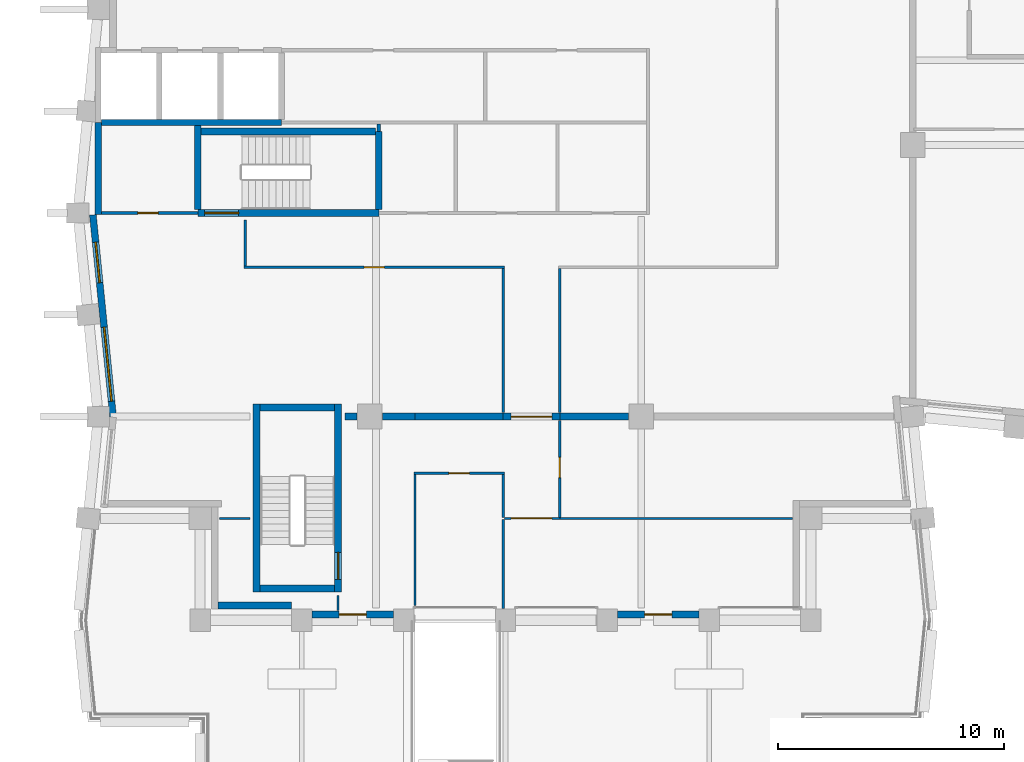
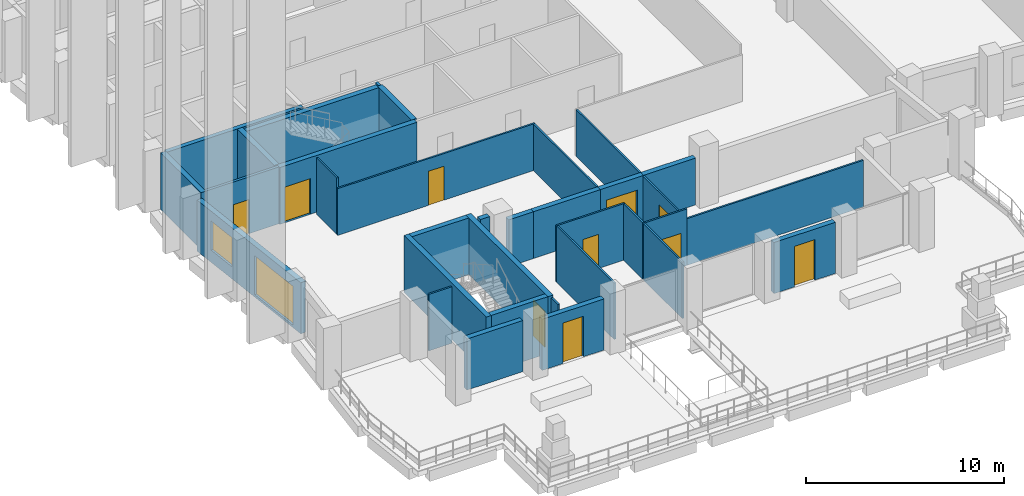
# One storey, part 11 of 19: 34 walls, 10 doors, 2 windows, 12 openings.
"""IFC4 building model written with IfcOpenShell, lengths in metres."""

from ifc_helpers import new_model, si_unit, direction, frame, frame_2d, origin, place, context, subcontext, project, spatial, rectangle, extrude, material, layer, layer_set, type_object, element, fill, save


model = new_model("IFC4")

# Units and contexts
model_context = context("Model", 3, precision=1e-05, world=origin(), true_north=direction((0.0, 1.0)))
body_context = subcontext(model_context, "Body", "Model", "MODEL_VIEW")
ifc_project = project(units=[si_unit("LENGTHUNIT", "METRE"), si_unit("AREAUNIT", "SQUARE_METRE"), si_unit("VOLUMEUNIT", "CUBIC_METRE"), si_unit("PLANEANGLEUNIT", "RADIAN"), si_unit("MASSUNIT", "GRAM", prefix="KILO")], contexts=[model_context])

# Site, building, storey
site_placement = place(None, origin())
site = spatial("IfcSite", under=ifc_project, at=site_placement, CompositionType="ELEMENT")
building_placement = place(site_placement, origin())
building = spatial("IfcBuilding", under=site, at=building_placement, Name="Brondeck Convention Tower", CompositionType="ELEMENT")
storey_placement = place(building_placement, frame((0.0, 0.0, 198.800048828125)))
storey = spatial("IfcBuildingStorey", under=building, at=storey_placement, Name="L48", CompositionType="ELEMENT", Elevation=198.800048828125)

# Walls
ifc_material_1 = material(Name="Concrete compartment wall C30/37", Category="concrete")
ifc_layer_1 = layer(ifc_material_1, 0.300048828125)
ifc_layer_set_1 = layer_set([ifc_layer_1], Name="Compartment wall 300")
wall_type_1 = type_object("IfcWallType", Name="Compartment wall 300", PredefinedType="PARTITIONING", material=ifc_layer_set_1)
wall_1_placement = place(storey_placement, frame((10.89990234375, 27.0, 0.0), z_axis=(0.0, 0.0, 1.0), x_axis=(1.0, 0.0, 0.0)))
element("IfcWall", 1, at=wall_1_placement, inside=storey, type_object=wall_type_1, Name="FLR-L48-W014", PredefinedType="PARTITIONING", context=body_context, shape_type="SweptSolid", body=[
    extrude(rectangle(XDim=0.545166015625, YDim=0.300048828125, at=frame_2d((0.2724609375, 0.0))), origin(), (0.0, 0.0, 1.0), 3.47998046875),
])
wall_2_placement = place(storey_placement, frame((12.554931640625, 27.0, 0.0), z_axis=(0.0, 0.0, 1.0), x_axis=(1.0, 0.0, 0.0)))
element("IfcWall", 2, at=wall_2_placement, inside=storey, type_object=wall_type_1, Name="FLR-L48-W015", PredefinedType="PARTITIONING", context=body_context, shape_type="SweptSolid", body=[
    extrude(rectangle(XDim=1.445068359375, YDim=0.300048828125, at=frame_2d((0.72265625, 0.0))), origin(), (0.0, 0.0, 1.0), 2.8798828125),
])
wall_3_placement = place(storey_placement, frame((14.0, 27.0, 0.0), z_axis=(0.0, 0.0, 1.0), x_axis=(1.0, 0.0, 0.0)))
element("IfcWall", 3, at=wall_3_placement, inside=storey, type_object=wall_type_1, Name="FLR-L48-W016", PredefinedType="PARTITIONING", context=body_context, shape_type="SweptSolid", body=[
    extrude(rectangle(XDim=3.89990234375, YDim=0.300048828125, at=frame_2d((1.949951171875, 0.0))), origin(), (0.0, 0.0, 1.0), 2.8798828125),
])

# Wall, opening, door
wall_4_placement = place(storey_placement, frame((20.39990234375, 27.0, 0.0), z_axis=(0.0, 0.0, 1.0), x_axis=(-1.0, 0.0, 0.0)))
wall_4 = element("IfcWall", 4, at=wall_4_placement, inside=storey, type_object=wall_type_1, Name="FLR-L48-W017", PredefinedType="PARTITIONING", context=body_context, shape_type="SweptSolid", body=[
    extrude(rectangle(XDim=2.5, YDim=0.300048828125, at=frame_2d((1.25, 0.0))), origin(), (0.0, 0.0, 1.0), 2.8798828125),
])
opening_1_placement = place(wall_4_placement, frame((0.35009765625, 0.0, 0.0)))
opening_1 = element("IfcOpeningElement", 5, at=opening_1_placement, cuts=wall_4, Name="Opening OF-K-011", PredefinedType="OPENING", context=body_context, shape_type="SweptSolid", body=[
    extrude(rectangle(XDim=1.800048828125, YDim=2.10009765625, at=frame_2d((0.89990234375, 1.050048828125))), frame((0.0, 0.159912109375, 0.0), z_axis=(0.0, -1.0, 0.0), x_axis=(1.0, 0.0, 0.0)), (0.0, 0.0, 1.0), 0.320068359375),
])
ifc_material_2 = material(Name="Steel fire door pair", Category="steel")
door_type_1 = type_object("IfcDoorType", Name="Fire door pair 1800", OperationType="DOUBLE_DOOR_SINGLE_SWING", PredefinedType="DOOR", material=ifc_material_2)
door_1_placement = place(opening_1_placement, origin())
door_1 = element("IfcDoor", 6, at=door_1_placement, inside=storey, type_object=door_type_1, Name="Door OF-K-011", OperationType="DOUBLE_DOOR_SINGLE_SWING", OverallHeight=2.10009765625, OverallWidth=1.800048828125, PredefinedType="DOOR", context=body_context, shape_type="SweptSolid", body=[
    extrude(rectangle(XDim=1.800048828125, YDim=2.10009765625, at=frame_2d((0.89990234375, 1.050048828125))), frame((0.0, 0.02490234375, 0.0), z_axis=(0.0, -1.0, 0.0), x_axis=(1.0, 0.0, 0.0)), (0.0, 0.0, 1.0), 0.050048828125),
])
fill(opening_1, door_1)

# Walls
wall_5_placement = place(storey_placement, frame((20.39990234375, 27.0, 0.0), z_axis=(0.0, 0.0, 1.0), x_axis=(1.0, 0.0, 0.0)))
element("IfcWall", 7, at=wall_5_placement, inside=storey, type_object=wall_type_1, Name="FLR-L48-W018", PredefinedType="PARTITIONING", context=body_context, shape_type="SweptSolid", body=[
    extrude(rectangle(XDim=3.045166015625, YDim=0.300048828125, at=frame_2d((1.5224609375, 0.0))), origin(), (0.0, 0.0, 1.0), 2.8798828125),
])
ifc_material_3 = material(Name="Concrete C50/60", Category="concrete")
ifc_layer_2 = layer(ifc_material_3, 0.300048828125)
ifc_layer_set_2 = layer_set([ifc_layer_2], Name="Core outer wall 300 Concrete C50/60")
wall_type_2 = type_object("IfcWallType", Name="Core outer wall 300 Concrete C50/60", PredefinedType="SHEAR", material=ifc_layer_set_2)
wall_6_placement = place(storey_placement, frame((0.0, 35.925048828125, 0.0), z_axis=(0.0, 0.0, 1.0), x_axis=(0.0, 1.0, 0.0)))
element("IfcWall", 8, at=wall_6_placement, inside=storey, type_object=wall_type_2, Name="L48 core wall", PredefinedType="SHEAR", context=body_context, shape_type="SweptSolid", body=[
    extrude(rectangle(XDim=4.074951171875, YDim=0.300048828125, at=frame_2d((2.03759765625, 0.0))), origin(), (0.0, 0.0, 1.0), 3.5),
])

# Wall, opening, door
ifc_material_4 = material(Name="Fire-rated gypsum board partition")
ifc_layer_3 = layer(ifc_material_4, 0.14990234375)
ifc_layer_set_3 = layer_set([ifc_layer_3], Name="Core partition 150 EI 60")
wall_type_3 = type_object("IfcWallType", Name="Core partition 150 EI 60", PredefinedType="PARTITIONING", material=ifc_layer_set_3)
wall_7_placement = place(storey_placement, frame((0.14990234375, 36.0, 0.0), z_axis=(0.0, 0.0, 1.0), x_axis=(1.0, 0.0, 0.0)))
wall_7 = element("IfcWall", 9, at=wall_7_placement, inside=storey, type_object=wall_type_3, Name="L48 core wall", PredefinedType="PARTITIONING", context=body_context, shape_type="SweptSolid", body=[
    extrude(rectangle(XDim=4.25, YDim=0.14990234375, at=frame_2d((2.125, 0.0))), origin(), (0.0, 0.0, 1.0), 3.5),
])
opening_2_placement = place(wall_7_placement, frame((1.60009765625, 0.0, 0.0)))
opening_2 = element("IfcOpeningElement", 10, at=opening_2_placement, cuts=wall_7, Name="Opening C27-06", PredefinedType="OPENING", context=body_context, shape_type="SweptSolid", body=[
    extrude(rectangle(XDim=0.89990234375, YDim=2.10009765625, at=frame_2d((0.449951171875, 1.050048828125))), frame((0.0, 0.0849609375, 0.0), z_axis=(0.0, -1.0, 0.0), x_axis=(1.0, 0.0, 0.0)), (0.0, 0.0, 1.0), 0.169921875),
])
ifc_material_5 = material(Name="Steel fire door", Category="steel")
door_type_2 = type_object("IfcDoorType", Name="Room door 900x2100 EI 60", OperationType="NOTDEFINED", PredefinedType="DOOR", material=ifc_material_5)
door_2_placement = place(opening_2_placement, origin())
door_2 = element("IfcDoor", 11, at=door_2_placement, inside=storey, type_object=door_type_2, Name="L48 Room door FRW-1", OperationType="SINGLE_SWING_LEFT", OverallHeight=2.10009765625, OverallWidth=0.89990234375, PredefinedType="DOOR", context=body_context, shape_type="SweptSolid", body=[
    extrude(rectangle(XDim=0.89990234375, YDim=2.10009765625, at=frame_2d((0.449951171875, 1.050048828125))), frame((0.0, 0.02490234375, 0.0), z_axis=(0.0, -1.0, 0.0), x_axis=(1.0, 0.0, 0.0)), (0.0, 0.0, 1.0), 0.050048828125),
])
fill(opening_2, door_2)

# Walls
wall_8_placement = place(storey_placement, frame((12.39990234375, 39.60009765625, 0.0), z_axis=(0.0, 0.0, 1.0), x_axis=(0.0, 1.0, 0.0)))
element("IfcWall", 12, at=wall_8_placement, inside=storey, type_object=wall_type_3, Name="L48 core wall", PredefinedType="PARTITIONING", context=body_context, shape_type="SweptSolid", body=[
    extrude(rectangle(XDim=0.324951171875, YDim=0.14990234375, at=frame_2d((0.16259765625, 0.0))), origin(), (0.0, 0.0, 1.0), 3.5),
])
ifc_material_6 = material(Name="Precast concrete C50/60 bronze finish", Category="concrete")
ifc_layer_4 = layer(ifc_material_6, 0.070068359375, Name="Bronze precast facing")
ifc_material_7 = material(Name="Mineral wool")
ifc_layer_5 = layer(ifc_material_7, 0.159912109375, Name="Insulation")
ifc_material_8 = material(Name="Concrete C35/45", Category="concrete")
ifc_layer_6 = layer(ifc_material_8, 0.070068359375, Name="Backing")
ifc_layer_set_4 = layer_set([ifc_layer_4, ifc_layer_5, ifc_layer_6], Name="External infill wall, precast concrete C50/60 bronze facing")
wall_type_4 = type_object("IfcWallType", Name="External infill wall, precast concrete C50/60 bronze facing", PredefinedType="SOLIDWALL", material=ifc_layer_set_4)
wall_9_placement = place(storey_placement, frame((8.550048828125, 18.64990234375, 0.0), z_axis=(0.0, 0.0, 1.0), x_axis=(-1.0, 0.0, 0.0)))
element("IfcWall", 13, at=wall_9_placement, inside=storey, type_object=wall_type_4, Name="ENV-EW-L48-P2-B-S18-01", PredefinedType="SOLIDWALL", context=body_context, shape_type="SweptSolid", body=[
    extrude(rectangle(XDim=3.25, YDim=0.300048828125, at=frame_2d((1.625, 0.0))), origin(), (0.0, 0.0, 1.0), 3.14990234375),
])

# Wall, openings, windows
wall_10_placement = place(storey_placement, frame((0.65478515625, 26.985107421875, 0.0), z_axis=(0.0, 0.0, 1.0), x_axis=(-0.099509105781, 0.995036651519, 0.0)))
wall_10 = element("IfcWall", 14, at=wall_10_placement, inside=storey, type_object=wall_type_4, Name="ENV-EW-L48-P2-B-W-06", PredefinedType="SOLIDWALL", context=body_context, shape_type="SweptSolid", body=[
    extrude(rectangle(XDim=8.974609375, YDim=0.300048828125, at=frame_2d((4.4873046875, 0.0))), origin(), (0.0, 0.0, 1.0), 3.14990234375),
])
opening_3_placement = place(wall_10_placement, frame((0.691162109375, 0.0, 0.14990234375)))
opening_3 = element("IfcOpeningElement", 15, at=opening_3_placement, cuts=wall_10, Name="Opening W9", PredefinedType="OPENING", context=body_context, shape_type="SweptSolid", body=[
    extrude(rectangle(XDim=3.300048828125, YDim=2.39990234375, at=frame_2d((1.64990234375, 1.199951171875))), frame((0.0, 0.159912109375, 0.0), z_axis=(0.0, -1.0, 0.0), x_axis=(1.0, 0.0, 0.0)), (0.0, 0.0, 1.0), 0.320068359375),
])
opening_4_placement = place(wall_10_placement, frame((5.963623046875, 0.0, 0.75)))
opening_4 = element("IfcOpeningElement", 16, at=opening_4_placement, cuts=wall_10, Name="Opening W10", PredefinedType="OPENING", context=body_context, shape_type="SweptSolid", body=[
    extrude(rectangle(XDim=1.800048828125, YDim=1.800048828125, at=frame_2d((0.89990234375, 0.89990234375))), frame((0.0, 0.159912109375, 0.0), z_axis=(0.0, -1.0, 0.0), x_axis=(1.0, 0.0, 0.0)), (0.0, 0.0, 1.0), 0.320068359375),
])
ifc_material_9 = material(Name="Bronze tinted double glazing", Category="glass")
window_type_1 = type_object("IfcWindowType", Name="Glazed flute window, bronze tinted", PartitioningType="SINGLE_PANEL", PredefinedType="WINDOW", material=ifc_material_9)
window_1_placement = place(opening_3_placement, origin())
window_1 = element("IfcWindow", 17, at=window_1_placement, inside=storey, type_object=window_type_1, Name="ENV-WN-L48-P2-B-W-07", OverallHeight=2.39990234375, OverallWidth=3.300048828125, PartitioningType="SINGLE_PANEL", PredefinedType="WINDOW", context=body_context, shape_type="SweptSolid", body=[
    extrude(rectangle(XDim=3.300048828125, YDim=2.39990234375, at=frame_2d((1.64990234375, 1.199951171875))), frame((0.0, 0.030029296875, 0.0), z_axis=(0.0, -1.0, 0.0), x_axis=(1.0, 0.0, 0.0)), (0.0, 0.0, 1.0), 0.06005859375),
])
fill(opening_3, window_1)
window_type_2 = type_object("IfcWindowType", Name="Punched window, bronze tinted", PartitioningType="SINGLE_PANEL", PredefinedType="WINDOW", material=ifc_material_9)
window_2_placement = place(opening_4_placement, origin())
window_2 = element("IfcWindow", 18, at=window_2_placement, inside=storey, type_object=window_type_2, Name="ENV-WN-L48-P2-B-W-06", OverallHeight=1.800048828125, OverallWidth=1.800048828125, PartitioningType="SINGLE_PANEL", PredefinedType="WINDOW", context=body_context, shape_type="SweptSolid", body=[
    extrude(rectangle(XDim=1.800048828125, YDim=1.800048828125, at=frame_2d((0.89990234375, 0.89990234375))), frame((0.0, 0.030029296875, 0.0), z_axis=(0.0, -1.0, 0.0), x_axis=(1.0, 0.0, 0.0)), (0.0, 0.0, 1.0), 0.06005859375),
])
fill(opening_4, window_2)

# Wall, opening, door
wall_11_placement = place(storey_placement, frame((13.050048828125, 18.25, 0.0), z_axis=(0.0, 0.0, 1.0), x_axis=(-1.0, 0.0, 0.0)))
wall_11 = element("IfcWall", 19, at=wall_11_placement, inside=storey, type_object=wall_type_4, Name="ENV-TW-L48-P2-B-S18-02", PredefinedType="SOLIDWALL", context=body_context, shape_type="SweptSolid", body=[
    extrude(rectangle(XDim=3.60009765625, YDim=0.300048828125, at=frame_2d((1.800048828125, 0.0))), origin(), (0.0, 0.0, 1.0), 3.14990234375),
])
opening_5_placement = place(wall_11_placement, frame((1.199951171875, 0.0, 0.0)))
opening_5 = element("IfcOpeningElement", 20, at=opening_5_placement, cuts=wall_11, Name="Opening DB-L48-B-S18-02", PredefinedType="OPENING", context=body_context, shape_type="SweptSolid", body=[
    extrude(rectangle(XDim=1.199951171875, YDim=2.5, at=frame_2d((0.60009765625, 1.25))), frame((0.0, 0.159912109375, 0.0), z_axis=(0.0, -1.0, 0.0), x_axis=(1.0, 0.0, 0.0)), (0.0, 0.0, 1.0), 0.320068359375),
])
ifc_material_10 = material(Name="Aluminium, bronze anodised", Category="aluminium")
door_type_3 = type_object("IfcDoorType", Name="Terrace door, single leaf", OperationType="SINGLE_SWING_LEFT", PredefinedType="DOOR", material=ifc_material_10)
door_3_placement = place(opening_5_placement, origin())
door_3 = element("IfcDoor", 21, at=door_3_placement, inside=storey, type_object=door_type_3, Name="ENV-D-DB-L48-B-S18-02", OperationType="SINGLE_SWING_RIGHT", OverallHeight=2.5, OverallWidth=1.199951171875, PredefinedType="DOOR", context=body_context, shape_type="SweptSolid", body=[
    extrude(rectangle(XDim=1.199951171875, YDim=2.5, at=frame_2d((0.60009765625, 1.25))), frame((0.0, 0.02490234375, 0.0), z_axis=(0.0, -1.0, 0.0), x_axis=(1.0, 0.0, 0.0)), (0.0, 0.0, 1.0), 0.050048828125),
])
fill(opening_5, door_3)

wall_12_placement = place(storey_placement, frame((26.550048828125, 18.25, 0.0), z_axis=(0.0, 0.0, 1.0), x_axis=(-1.0, 0.0, 0.0)))
wall_12 = element("IfcWall", 22, at=wall_12_placement, inside=storey, type_object=wall_type_4, Name="ENV-TW-L48-P2-B-S18-05", PredefinedType="SOLIDWALL", context=body_context, shape_type="SweptSolid", body=[
    extrude(rectangle(XDim=3.60009765625, YDim=0.300048828125, at=frame_2d((1.800048828125, 0.0))), origin(), (0.0, 0.0, 1.0), 3.14990234375),
])
opening_6_placement = place(wall_12_placement, frame((1.199951171875, 0.0, 0.0)))
opening_6 = element("IfcOpeningElement", 23, at=opening_6_placement, cuts=wall_12, Name="Opening DB-L48-B-S18-05", PredefinedType="OPENING", context=body_context, shape_type="SweptSolid", body=[
    extrude(rectangle(XDim=1.199951171875, YDim=2.5, at=frame_2d((0.60009765625, 1.25))), frame((0.0, 0.159912109375, 0.0), z_axis=(0.0, -1.0, 0.0), x_axis=(1.0, 0.0, 0.0)), (0.0, 0.0, 1.0), 0.320068359375),
])
door_4_placement = place(opening_6_placement, origin())
door_4 = element("IfcDoor", 24, at=door_4_placement, inside=storey, type_object=door_type_3, Name="ENV-D-DB-L48-B-S18-05", OperationType="SINGLE_SWING_RIGHT", OverallHeight=2.5, OverallWidth=1.199951171875, PredefinedType="DOOR", context=body_context, shape_type="SweptSolid", body=[
    extrude(rectangle(XDim=1.199951171875, YDim=2.5, at=frame_2d((0.60009765625, 1.25))), frame((0.0, 0.02490234375, 0.0), z_axis=(0.0, -1.0, 0.0), x_axis=(1.0, 0.0, 0.0)), (0.0, 0.0, 1.0), 0.050048828125),
])
fill(opening_6, door_4)

# Walls
ifc_layer_7 = layer(ifc_material_3, 0.25)
ifc_layer_set_5 = layer_set([ifc_layer_7], Name="Lift shaft wall 250 Concrete C50/60")
wall_type_5 = type_object("IfcWallType", Name="Lift shaft wall 250 Concrete C50/60", PredefinedType="SHEAR", material=ifc_layer_set_5)
wall_13_placement = place(storey_placement, frame((0.14990234375, 40.0, 0.0), z_axis=(0.0, 0.0, 1.0), x_axis=(1.0, 0.0, 0.0)))
element("IfcWall", 25, at=wall_13_placement, inside=storey, type_object=wall_type_5, Name="L48 core wall", PredefinedType="SHEAR", context=body_context, shape_type="SweptSolid", body=[
    extrude(rectangle(XDim=7.9501953125, YDim=0.25, at=frame_2d((3.97509765625, 0.0))), origin(), (0.0, 0.0, 1.0), 3.5),
])
ifc_material_11 = material(Name="Gypsum board partition on steel studs", Category="steel")
ifc_layer_8 = layer(ifc_material_11, 0.10009765625)
ifc_layer_set_6 = layer_set([ifc_layer_8], Name="Room partition 100")
wall_type_6 = type_object("IfcWallType", Name="Room partition 100", PredefinedType="PARTITIONING", material=ifc_layer_set_6)
wall_14_placement = place(storey_placement, frame((10.60009765625, 18.419921875, 0.0), z_axis=(0.0, 0.0, 1.0), x_axis=(0.0, 1.0, 0.0)))
element("IfcWall", 26, at=wall_14_placement, inside=storey, type_object=wall_type_6, Name="FLR-L48-W001", PredefinedType="PARTITIONING", context=body_context, shape_type="SweptSolid", body=[
    extrude(rectangle(XDim=0.68017578125, YDim=0.10009765625, at=frame_2d((0.340087890625, 0.0))), origin(), (0.0, 0.0, 1.0), 3.47998046875),
])
wall_15_placement = place(storey_placement, frame((17.89990234375, 22.449951171875, 0.0), z_axis=(0.0, 0.0, 1.0), x_axis=(0.0, -1.0, 0.0)))
element("IfcWall", 27, at=wall_15_placement, inside=storey, type_object=wall_type_6, Name="FLR-L48-W002", PredefinedType="PARTITIONING", context=body_context, shape_type="SweptSolid", body=[
    extrude(rectangle(XDim=3.929931640625, YDim=0.10009765625, at=frame_2d((1.96484375, 0.0))), origin(), (0.0, 0.0, 1.0), 3.47998046875),
])
wall_16_placement = place(storey_placement, frame((5.35009765625, 22.5, 0.0), z_axis=(0.0, 0.0, 1.0), x_axis=(1.0, 0.0, 0.0)))
element("IfcWall", 28, at=wall_16_placement, inside=storey, type_object=wall_type_6, Name="FLR-L48-W003", PredefinedType="PARTITIONING", context=body_context, shape_type="SweptSolid", body=[
    extrude(rectangle(XDim=1.349853515625, YDim=0.10009765625, at=frame_2d((0.6748046875, 0.0))), origin(), (0.0, 0.0, 1.0), 3.47998046875),
])

# Wall, opening, door
wall_17_placement = place(storey_placement, frame((20.39990234375, 22.5, 0.0), z_axis=(0.0, 0.0, 1.0), x_axis=(-1.0, 0.0, 0.0)))
wall_17 = element("IfcWall", 29, at=wall_17_placement, inside=storey, type_object=wall_type_6, Name="FLR-L48-W004", PredefinedType="PARTITIONING", context=body_context, shape_type="SweptSolid", body=[
    extrude(rectangle(XDim=2.449951171875, YDim=0.10009765625, at=frame_2d((1.22509765625, 0.0))), origin(), (0.0, 0.0, 1.0), 3.47998046875),
])
opening_7_placement = place(wall_17_placement, frame((0.35009765625, 0.0, 0.0)))
opening_7 = element("IfcOpeningElement", 30, at=opening_7_placement, cuts=wall_17, Name="Opening OF-K-007", PredefinedType="OPENING", context=body_context, shape_type="SweptSolid", body=[
    extrude(rectangle(XDim=1.800048828125, YDim=2.10009765625, at=frame_2d((0.89990234375, 1.050048828125))), frame((0.0, 0.06005859375, 0.0), z_axis=(0.0, -1.0, 0.0), x_axis=(1.0, 0.0, 0.0)), (0.0, 0.0, 1.0), 0.1201171875),
])
ifc_material_12 = material(Name="Glazed timber double door", Category="wood")
door_type_4 = type_object("IfcDoorType", Name="Double door 1800", OperationType="DOUBLE_DOOR_SINGLE_SWING", PredefinedType="DOOR", material=ifc_material_12)
door_5_placement = place(opening_7_placement, origin())
door_5 = element("IfcDoor", 31, at=door_5_placement, inside=storey, type_object=door_type_4, Name="Door OF-K-007", OperationType="DOUBLE_DOOR_SINGLE_SWING", OverallHeight=2.10009765625, OverallWidth=1.800048828125, PredefinedType="DOOR", context=body_context, shape_type="SweptSolid", body=[
    extrude(rectangle(XDim=1.800048828125, YDim=2.10009765625, at=frame_2d((0.89990234375, 1.050048828125))), frame((0.0, 0.02490234375, 0.0), z_axis=(0.0, -1.0, 0.0), x_axis=(1.0, 0.0, 0.0)), (0.0, 0.0, 1.0), 0.050048828125),
])
fill(opening_7, door_5)

# Walls
wall_18_placement = place(storey_placement, frame((20.39990234375, 22.5, 0.0), z_axis=(0.0, 0.0, 1.0), x_axis=(1.0, 0.0, 0.0)))
element("IfcWall", 32, at=wall_18_placement, inside=storey, type_object=wall_type_6, Name="FLR-L48-W005", PredefinedType="PARTITIONING", context=body_context, shape_type="SweptSolid", body=[
    extrude(rectangle(XDim=10.280029296875, YDim=0.10009765625, at=frame_2d((5.14013671875, 0.0))), origin(), (0.0, 0.0, 1.0), 2.8798828125),
])
wall_19_placement = place(storey_placement, frame((17.89990234375, 22.550048828125, 0.0), z_axis=(0.0, 0.0, 1.0), x_axis=(0.0, 1.0, 0.0)))
element("IfcWall", 33, at=wall_19_placement, inside=storey, type_object=wall_type_6, Name="FLR-L48-W007", PredefinedType="PARTITIONING", context=body_context, shape_type="SweptSolid", body=[
    extrude(rectangle(XDim=1.89990234375, YDim=0.10009765625, at=frame_2d((0.949951171875, 0.0))), origin(), (0.0, 0.0, 1.0), 3.47998046875),
])
wall_20_placement = place(storey_placement, frame((14.0, 24.449951171875, 0.0), z_axis=(0.0, 0.0, 1.0), x_axis=(0.0, -1.0, 0.0)))
element("IfcWall", 34, at=wall_20_placement, inside=storey, type_object=wall_type_6, Name="FLR-L48-W010", PredefinedType="PARTITIONING", context=body_context, shape_type="SweptSolid", body=[
    extrude(rectangle(XDim=5.81005859375, YDim=0.10009765625, at=frame_2d((2.905029296875, 0.0))), origin(), (0.0, 0.0, 1.0), 3.47998046875),
])

# Wall, opening, door
wall_21_placement = place(storey_placement, frame((17.949951171875, 24.5, 0.0), z_axis=(0.0, 0.0, 1.0), x_axis=(-1.0, 0.0, 0.0)))
wall_21 = element("IfcWall", 35, at=wall_21_placement, inside=storey, type_object=wall_type_6, Name="FLR-L48-W011", PredefinedType="PARTITIONING", context=body_context, shape_type="SweptSolid", body=[
    extrude(rectangle(XDim=4.0, YDim=0.10009765625, at=frame_2d((2.0, 0.0))), origin(), (0.0, 0.0, 1.0), 3.47998046875),
])
opening_8_placement = place(wall_21_placement, frame((1.550048828125, 0.0, 0.0)))
opening_8 = element("IfcOpeningElement", 36, at=opening_8_placement, cuts=wall_21, Name="Opening OF-K-002", PredefinedType="OPENING", context=body_context, shape_type="SweptSolid", body=[
    extrude(rectangle(XDim=0.89990234375, YDim=2.10009765625, at=frame_2d((0.449951171875, 1.050048828125))), frame((0.0, 0.06005859375, 0.0), z_axis=(0.0, -1.0, 0.0), x_axis=(1.0, 0.0, 0.0)), (0.0, 0.0, 1.0), 0.1201171875),
])
ifc_material_13 = material(Name="Solid timber door leaf", Category="wood")
door_type_5 = type_object("IfcDoorType", Name="Single door 900", OperationType="NOTDEFINED", PredefinedType="DOOR", material=ifc_material_13)
door_6_placement = place(opening_8_placement, origin())
door_6 = element("IfcDoor", 37, at=door_6_placement, inside=storey, type_object=door_type_5, Name="Door OF-K-002", OperationType="SINGLE_SWING_RIGHT", OverallHeight=2.10009765625, OverallWidth=0.89990234375, PredefinedType="DOOR", context=body_context, shape_type="SweptSolid", body=[
    extrude(rectangle(XDim=0.89990234375, YDim=2.10009765625, at=frame_2d((0.449951171875, 1.050048828125))), frame((0.0, 0.02490234375, 0.0), z_axis=(0.0, -1.0, 0.0), x_axis=(1.0, 0.0, 0.0)), (0.0, 0.0, 1.0), 0.050048828125),
])
fill(opening_8, door_6)

wall_22_placement = place(storey_placement, frame((20.39990234375, 26.830078125, 0.0), z_axis=(0.0, 0.0, 1.0), x_axis=(0.0, -1.0, 0.0)))
wall_22 = element("IfcWall", 38, at=wall_22_placement, inside=storey, type_object=wall_type_6, Name="FLR-L48-W012", PredefinedType="PARTITIONING", context=body_context, shape_type="SweptSolid", body=[
    extrude(rectangle(XDim=4.280029296875, YDim=0.10009765625, at=frame_2d((2.14013671875, 0.0))), origin(), (0.0, 0.0, 1.0), 2.8798828125),
])
opening_9_placement = place(wall_22_placement, frame((1.6298828125, 0.0, 0.0)))
opening_9 = element("IfcOpeningElement", 39, at=opening_9_placement, cuts=wall_22, Name="Opening OF-K-008", PredefinedType="OPENING", context=body_context, shape_type="SweptSolid", body=[
    extrude(rectangle(XDim=0.89990234375, YDim=2.10009765625, at=frame_2d((0.449951171875, 1.050048828125))), frame((0.0, 0.06005859375, 0.0), z_axis=(0.0, -1.0, 0.0), x_axis=(1.0, 0.0, 0.0)), (0.0, 0.0, 1.0), 0.1201171875),
])
door_7_placement = place(opening_9_placement, origin())
door_7 = element("IfcDoor", 40, at=door_7_placement, inside=storey, type_object=door_type_5, Name="Door OF-K-008", OperationType="SINGLE_SWING_LEFT", OverallHeight=2.10009765625, OverallWidth=0.89990234375, PredefinedType="DOOR", context=body_context, shape_type="SweptSolid", body=[
    extrude(rectangle(XDim=0.89990234375, YDim=2.10009765625, at=frame_2d((0.449951171875, 1.050048828125))), frame((0.0, 0.02490234375, 0.0), z_axis=(0.0, -1.0, 0.0), x_axis=(1.0, 0.0, 0.0)), (0.0, 0.0, 1.0), 0.050048828125),
])
fill(opening_9, door_7)

# Walls
for number, where, z_axis, x_axis, name in (
    (41, (17.89990234375, 27.169921875, 0.0), (0.0, 0.0, 1.0), (0.0, 1.0, 0.0), "FLR-L48-W020"),
    (42, (20.39990234375, 33.550048828125, 0.0), (0.0, 0.0, 1.0), (0.0, -1.0, 0.0), "FLR-L48-W025"),
):
    element("IfcWall", number, at=place(storey_placement, frame(where, z_axis=z_axis, x_axis=x_axis)), inside=storey, type_object=wall_type_6, Name=name, PredefinedType="PARTITIONING", context=body_context, shape_type="SweptSolid", body=[
        extrude(rectangle(XDim=6.380126953125, YDim=0.10009765625, at=frame_2d((3.18994140625, 0.0))), origin(), (0.0, 0.0, 1.0), 2.8798828125),
    ])

# Wall, opening, door
wall_23_placement = place(storey_placement, frame((17.949951171875, 33.60009765625, 0.0), z_axis=(0.0, 0.0, 1.0), x_axis=(-1.0, 0.0, 0.0)))
wall_23 = element("IfcWall", 43, at=wall_23_placement, inside=storey, type_object=wall_type_6, Name="FLR-L48-W026", PredefinedType="PARTITIONING", context=body_context, shape_type="SweptSolid", body=[
    extrude(rectangle(XDim=11.5, YDim=0.10009765625, at=frame_2d((5.75, 0.0))), origin(), (0.0, 0.0, 1.0), 2.8798828125),
])
opening_10_placement = place(wall_23_placement, frame((5.300048828125, 0.0, 0.0)))
opening_10 = element("IfcOpeningElement", 44, at=opening_10_placement, cuts=wall_23, Name="Opening OF-K-009", PredefinedType="OPENING", context=body_context, shape_type="SweptSolid", body=[
    extrude(rectangle(XDim=0.89990234375, YDim=2.10009765625, at=frame_2d((0.449951171875, 1.050048828125))), frame((0.0, 0.06005859375, 0.0), z_axis=(0.0, -1.0, 0.0), x_axis=(1.0, 0.0, 0.0)), (0.0, 0.0, 1.0), 0.1201171875),
])
door_8_placement = place(opening_10_placement, origin())
door_8 = element("IfcDoor", 45, at=door_8_placement, inside=storey, type_object=door_type_5, Name="Door OF-K-009", OperationType="SINGLE_SWING_LEFT", OverallHeight=2.10009765625, OverallWidth=0.89990234375, PredefinedType="DOOR", context=body_context, shape_type="SweptSolid", body=[
    extrude(rectangle(XDim=0.89990234375, YDim=2.10009765625, at=frame_2d((0.449951171875, 1.050048828125))), frame((0.0, 0.02490234375, 0.0), z_axis=(0.0, -1.0, 0.0), x_axis=(1.0, 0.0, 0.0)), (0.0, 0.0, 1.0), 0.050048828125),
])
fill(opening_10, door_8)

# Walls
wall_24_placement = place(storey_placement, frame((6.5, 33.64990234375, 0.0), z_axis=(0.0, 0.0, 1.0), x_axis=(0.0, 1.0, 0.0)))
element("IfcWall", 46, at=wall_24_placement, inside=storey, type_object=wall_type_6, Name="FLR-L48-W028", PredefinedType="PARTITIONING", context=body_context, shape_type="SweptSolid", body=[
    extrude(rectangle(XDim=2.050048828125, YDim=0.10009765625, at=frame_2d((1.02490234375, 0.0))), origin(), (0.0, 0.0, 1.0), 3.47998046875),
])
ifc_layer_9 = layer(ifc_material_3, 0.300048828125)
ifc_layer_set_7 = layer_set([ifc_layer_9], Name="Stair enclosure wall 300 Concrete C50/60")
wall_type_7 = type_object("IfcWallType", Name="Stair enclosure wall 300 Concrete C50/60", PredefinedType="SHEAR", material=ifc_layer_set_7)
for number, where, z_axis, x_axis, name in (
    (47, (7.14990234375, 19.39990234375, 0.0), (0.0, 0.0, 1.0), (1.0, 0.0, 0.0), "L48 core wall"),
    (48, (7.14990234375, 27.39990234375, 0.0), (0.0, 0.0, 1.0), (1.0, 0.0, 0.0), "L48 core wall"),
):
    element("IfcWall", number, at=place(storey_placement, frame(where, z_axis=z_axis, x_axis=x_axis)), inside=storey, type_object=wall_type_7, Name=name, PredefinedType="SHEAR", context=body_context, shape_type="SweptSolid", body=[
        extrude(rectangle(XDim=3.300048828125, YDim=0.300048828125, at=frame_2d((1.64990234375, 0.0))), origin(), (0.0, 0.0, 1.0), 3.5),
    ])

# Wall, opening, door
wall_25_placement = place(storey_placement, frame((4.39990234375, 36.0, 0.0), z_axis=(0.0, 0.0, 1.0), x_axis=(1.0, 0.0, 0.0)))
wall_25 = element("IfcWall", 49, at=wall_25_placement, inside=storey, type_object=wall_type_7, Name="L48 core wall", PredefinedType="SHEAR", context=body_context, shape_type="SweptSolid", body=[
    extrude(rectangle(XDim=8.0, YDim=0.300048828125, at=frame_2d((4.0, 0.0))), origin(), (0.0, 0.0, 1.0), 3.5),
])
opening_11_placement = place(wall_25_placement, frame((0.300048828125, 0.0, 0.0)))
opening_11 = element("IfcOpeningElement", 50, at=opening_11_placement, cuts=wall_25, Name="Opening C27-12", PredefinedType="OPENING", context=body_context, shape_type="SweptSolid", body=[
    extrude(rectangle(XDim=1.5, YDim=2.199951171875, at=frame_2d((0.75, 1.10009765625))), frame((0.0, 0.159912109375, 0.0), z_axis=(0.0, -1.0, 0.0), x_axis=(1.0, 0.0, 0.0)), (0.0, 0.0, 1.0), 0.320068359375),
])
door_type_6 = type_object("IfcDoorType", Name="Stair door 1500x2200 EI 90", OperationType="NOTDEFINED", PredefinedType="DOOR", material=ifc_material_5)
door_9_placement = place(opening_11_placement, origin())
door_9 = element("IfcDoor", 51, at=door_9_placement, inside=storey, type_object=door_type_6, Name="L48 Stair door ST-1", OperationType="SINGLE_SWING_RIGHT", OverallHeight=2.199951171875, OverallWidth=1.5, PredefinedType="DOOR", context=body_context, shape_type="SweptSolid", body=[
    extrude(rectangle(XDim=1.5, YDim=2.199951171875, at=frame_2d((0.75, 1.10009765625))), frame((0.0, 0.02490234375, 0.0), z_axis=(0.0, -1.0, 0.0), x_axis=(1.0, 0.0, 0.0)), (0.0, 0.0, 1.0), 0.050048828125),
])
fill(opening_11, door_9)

# Walls
wall_26_placement = place(storey_placement, frame((4.550048828125, 39.60009765625, 0.0), z_axis=(0.0, 0.0, 1.0), x_axis=(1.0, 0.0, 0.0)))
element("IfcWall", 52, at=wall_26_placement, inside=storey, type_object=wall_type_7, Name="L48 core wall", PredefinedType="SHEAR", context=body_context, shape_type="SweptSolid", body=[
    extrude(rectangle(XDim=7.699951171875, YDim=0.300048828125, at=frame_2d((3.85009765625, 0.0))), origin(), (0.0, 0.0, 1.0), 3.5),
])
wall_27_placement = place(storey_placement, frame((4.39990234375, 36.14990234375, 0.0), z_axis=(0.0, 0.0, 1.0), x_axis=(0.0, 1.0, 0.0)))
element("IfcWall", 53, at=wall_27_placement, inside=storey, type_object=wall_type_7, Name="L48 core wall", PredefinedType="SHEAR", context=body_context, shape_type="SweptSolid", body=[
    extrude(rectangle(XDim=3.72509765625, YDim=0.300048828125, at=frame_2d((1.862548828125, 0.0))), origin(), (0.0, 0.0, 1.0), 3.5),
])
wall_28_placement = place(storey_placement, frame((7.0, 19.25, 0.0), z_axis=(0.0, 0.0, 1.0), x_axis=(0.0, 1.0, 0.0)))
element("IfcWall", 54, at=wall_28_placement, inside=storey, type_object=wall_type_7, Name="L48 core wall", PredefinedType="SHEAR", context=body_context, shape_type="SweptSolid", body=[
    extrude(rectangle(XDim=8.300048828125, YDim=0.300048828125, at=frame_2d((4.14990234375, 0.0))), origin(), (0.0, 0.0, 1.0), 3.5),
])

# Wall, opening, door
wall_29_placement = place(storey_placement, frame((10.60009765625, 19.25, 0.0), z_axis=(0.0, 0.0, 1.0), x_axis=(0.0, 1.0, 0.0)))
wall_29 = element("IfcWall", 55, at=wall_29_placement, inside=storey, type_object=wall_type_7, Name="L48 core wall", PredefinedType="SHEAR", context=body_context, shape_type="SweptSolid", body=[
    extrude(rectangle(XDim=8.300048828125, YDim=0.300048828125, at=frame_2d((4.14990234375, 0.0))), origin(), (0.0, 0.0, 1.0), 3.5),
])
opening_12_placement = place(wall_29_placement, frame((0.550048828125, 0.0, 0.0)))
opening_12 = element("IfcOpeningElement", 56, at=opening_12_placement, cuts=wall_29, Name="Opening C27-17", PredefinedType="OPENING", context=body_context, shape_type="SweptSolid", body=[
    extrude(rectangle(XDim=1.199951171875, YDim=2.199951171875, at=frame_2d((0.60009765625, 1.10009765625))), frame((0.0, 0.159912109375, 0.0), z_axis=(0.0, -1.0, 0.0), x_axis=(1.0, 0.0, 0.0)), (0.0, 0.0, 1.0), 0.320068359375),
])
door_type_7 = type_object("IfcDoorType", Name="Stair door 1200x2200 EI 90", OperationType="NOTDEFINED", PredefinedType="DOOR", material=ifc_material_5)
door_10_placement = place(opening_12_placement, origin())
door_10 = element("IfcDoor", 57, at=door_10_placement, inside=storey, type_object=door_type_7, Name="L48 Stair door ST-BE", OperationType="SINGLE_SWING_RIGHT", OverallHeight=2.199951171875, OverallWidth=1.199951171875, PredefinedType="DOOR", context=body_context, shape_type="SweptSolid", body=[
    extrude(rectangle(XDim=1.199951171875, YDim=2.199951171875, at=frame_2d((0.60009765625, 1.10009765625))), frame((0.0, 0.02490234375, 0.0), z_axis=(0.0, -1.0, 0.0), x_axis=(1.0, 0.0, 0.0)), (0.0, 0.0, 1.0), 0.050048828125),
])
fill(opening_12, door_10)

# Wall
wall_30_placement = place(storey_placement, frame((12.39990234375, 36.14990234375, 0.0), z_axis=(0.0, 0.0, 1.0), x_axis=(0.0, 1.0, 0.0)))
element("IfcWall", 58, at=wall_30_placement, inside=storey, type_object=wall_type_7, Name="L48 core wall", PredefinedType="SHEAR", context=body_context, shape_type="SweptSolid", body=[
    extrude(rectangle(XDim=3.4501953125, YDim=0.300048828125, at=frame_2d((1.72509765625, 0.0))), origin(), (0.0, 0.0, 1.0), 3.5),
])

save(model, "model.ifc")
